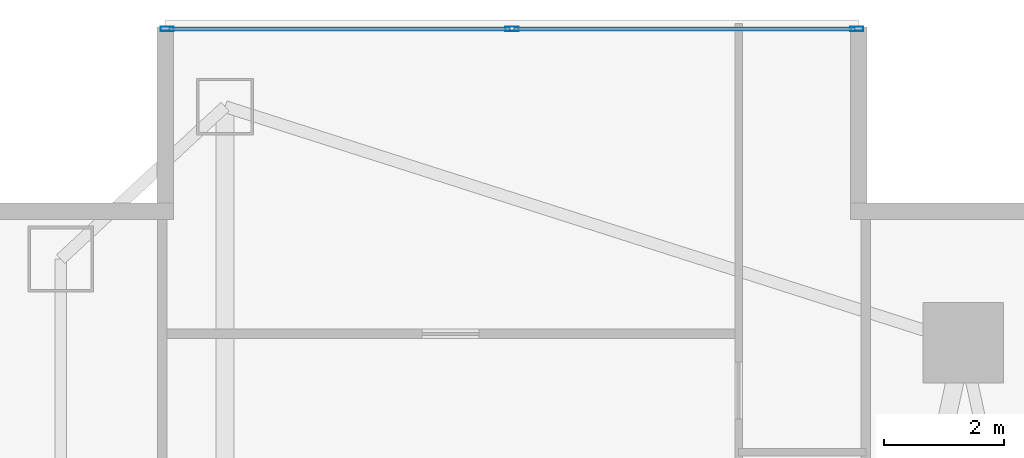
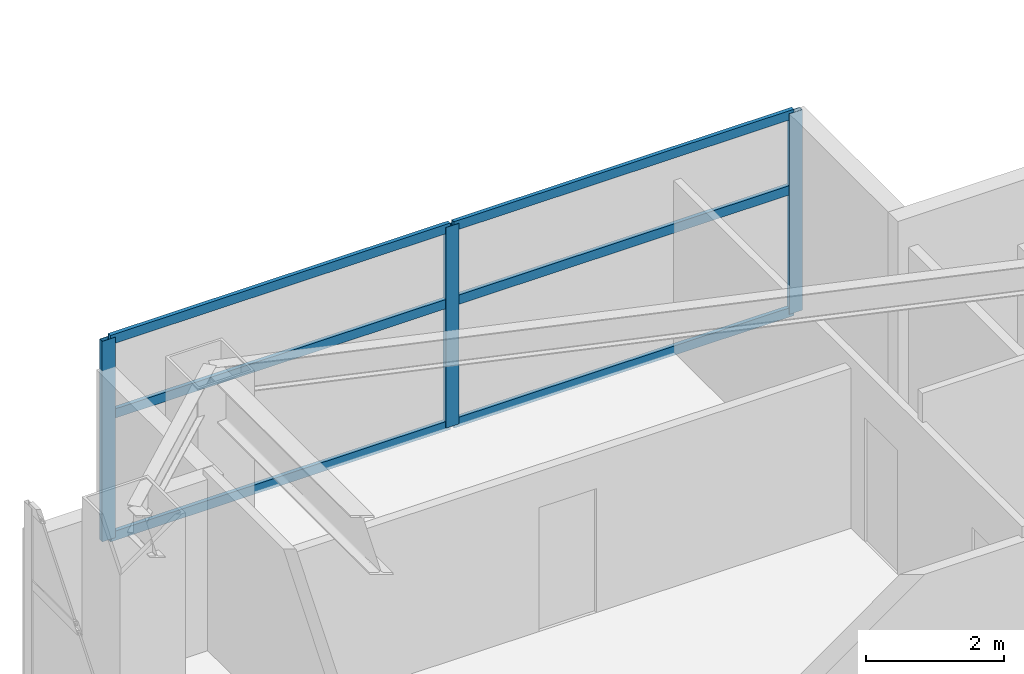
# One storey, part 19 of 30: 9 members, 1 element without a shape of its own.
"""IFC4 building model written with IfcOpenShell, lengths in metres."""

import ifcopenshell
import ifcopenshell.guid

model = None  # the IFC model being written
_history = None  # IfcOwnerHistory: only IFC2X3 demands one
_inside = {}  # id of a spatial element -> (the spatial element, [elements in it])
_under = {}  # id of a project, library or spatial element -> (it, [spatial elements below it])
_declared = {}  # id of a project -> (the project, [libraries it declares])
_typed = {}  # id of a type object -> (the type object, [elements of that type])
_made_of = {}  # id of a material, layer set ... -> (it, [elements and type objects made of it])


def new_model(schema):
    """Start an empty IFC model of exactly this schema.

    Asked for "IFC4X3", IfcOpenShell would pick the latest addendum, in which some entities
    have other attributes; the version numbers below select the first issue.
    IFC2X3 requires an IfcOwnerHistory on every rooted entity: one is made here for all.
    """
    global model, _history
    if schema == "IFC4X3":
        model = ifcopenshell.file(schema_version=(4, 3, 0, 0))
    else:
        model = ifcopenshell.file(schema=schema)
    _inside.clear()
    _under.clear()
    _declared.clear()
    _typed.clear()
    _made_of.clear()
    _history = None
    if model.schema == "IFC2X3":
        org = make("IfcOrganization", Name="unknown")
        user = make(
            "IfcPersonAndOrganization",
            ThePerson=make("IfcPerson", FamilyName="unknown"),
            TheOrganization=org,
        )
        app = make(
            "IfcApplication",
            ApplicationDeveloper=org,
            Version="unknown",
            ApplicationFullName="unknown",
            ApplicationIdentifier="unknown",
        )
        _history = make(
            "IfcOwnerHistory",
            OwningUser=user,
            OwningApplication=app,
            ChangeAction="ADDED",
            CreationDate=0,
        )
    return model


def make(cls, **values):
    """One entity of the class cls with the attributes given. An attribute that is None is left unset."""
    return model.create_entity(
        cls, **{name: value for name, value in values.items() if value is not None}
    )


def rooted(cls, **values):
    """An entity with a GlobalId (a new one), such as an element, a storey or a relation."""
    return make(cls, GlobalId=ifcopenshell.guid.new(), OwnerHistory=_history, **values)


def si_unit(unit_type, name, prefix=None):
    """IfcSIUnit, for example si_unit("LENGTHUNIT", "METRE", prefix="MILLI")."""
    return make("IfcSIUnit", UnitType=unit_type, Prefix=prefix, Name=name)


def assignment(units):
    """IfcUnitAssignment: the units of a project."""
    return None if units is None else make("IfcUnitAssignment", Units=units)


def point(xyz):
    """IfcCartesianPoint."""
    return None if xyz is None else make("IfcCartesianPoint", Coordinates=xyz)


def direction(xyz):
    """IfcDirection."""
    return None if xyz is None else make("IfcDirection", DirectionRatios=xyz)


def frame(location, z_axis=None, x_axis=None):
    """IfcAxis2Placement3D, a coordinate frame: its origin and axes. An axis left out is left unset."""
    return make(
        "IfcAxis2Placement3D",
        Location=point(location),
        Axis=direction(z_axis),
        RefDirection=direction(x_axis),
    )


def frame_2d(location, x_axis=None):
    """IfcAxis2Placement2D, a coordinate frame in the plane: its origin and x axis."""
    return make(
        "IfcAxis2Placement2D", Location=point(location), RefDirection=direction(x_axis)
    )


def origin():
    """The frame at (0, 0, 0) with its axes left unset."""
    return frame((0.0, 0.0, 0.0))


def origin_2d():
    """The frame at (0, 0) in the plane with its x axis left unset."""
    return frame_2d((0.0, 0.0))


def place(relative_to, where):
    """IfcLocalPlacement: puts the frame where relative to a parent placement (None: the world)."""
    return make(
        "IfcLocalPlacement", PlacementRelTo=relative_to, RelativePlacement=where
    )


def context(
    kind, dimensions, precision=None, world=None, true_north=None, identifier=None
):
    """IfcGeometricRepresentationContext, for example the 3D "Model" context."""
    return make(
        "IfcGeometricRepresentationContext",
        ContextIdentifier=identifier,
        ContextType=kind,
        CoordinateSpaceDimension=dimensions,
        Precision=precision,
        WorldCoordinateSystem=world,
        TrueNorth=true_north,
    )


def subcontext(parent, identifier, kind, view, scale=None):
    """IfcGeometricRepresentationSubContext, for example "Body" below "Model"."""
    return make(
        "IfcGeometricRepresentationSubContext",
        ContextIdentifier=identifier,
        ContextType=kind,
        ParentContext=parent,
        TargetScale=scale,
        TargetView=view,
    )


def project(units=None, contexts=None):
    """IfcProject with its units and contexts."""
    return rooted(
        "IfcProject",
        Name="project",
        RepresentationContexts=contexts,
        UnitsInContext=assignment(units),
    )


def spatial(cls, under=None, at=None, **own):
    """A site, building, storey or space (cls), placed at a placement, below another one or the project."""
    s = rooted(cls, ObjectPlacement=at, **own)
    if under is not None:
        _under.setdefault(under.id(), (under, []))[1].append(s)
    return s


def profile(cls, at=None, kind="AREA", **sizes):
    """A parametric profile (cls). Its sizes go by their IFC names, for example OverallWidth=200.0."""
    return make(cls, ProfileType=kind, Position=at, **sizes)


def hollow_rectangle(**sizes):
    """IfcRectangleHollowProfileDef."""
    return profile("IfcRectangleHollowProfileDef", **sizes)


def extrude(swept, where, along, depth):
    """IfcExtrudedAreaSolid: the profile swept, set in the frame where, extruded along a direction by depth."""
    return make(
        "IfcExtrudedAreaSolid",
        SweptArea=swept,
        Position=where,
        ExtrudedDirection=direction(along),
        Depth=depth,
    )


def shape(context_of_items, identifier, shape_type, items):
    """IfcShapeRepresentation: the items that make up one representation, for example the "Body"."""
    return make(
        "IfcShapeRepresentation",
        ContextOfItems=context_of_items,
        RepresentationIdentifier=identifier,
        RepresentationType=shape_type,
        Items=items,
    )


def material(Name=None, Category=None):
    """IfcMaterial."""
    return make("IfcMaterial", Name=Name, Category=Category)


def layer(
    of_material, thickness, ventilated=None, Name=None, Category=None, Priority=None
):
    """IfcMaterialLayer: one layer of a wall or slab, of a material (None: an air gap)."""
    return make(
        "IfcMaterialLayer",
        Material=of_material,
        LayerThickness=thickness,
        IsVentilated=ventilated,
        Name=Name,
        Category=Category,
        Priority=Priority,
    )


def layer_set(layers, Name=None):
    """IfcMaterialLayerSet."""
    return make("IfcMaterialLayerSet", MaterialLayers=layers, LayerSetName=Name)


def material_profile(
    of_material, cross_section, Name=None, Category=None, Priority=None
):
    """IfcMaterialProfile: a cross section and its material."""
    return make(
        "IfcMaterialProfile",
        Name=Name,
        Material=of_material,
        Profile=cross_section,
        Priority=Priority,
        Category=Category,
    )


def profile_set(profiles, Name=None, composite=None):
    """IfcMaterialProfileSet."""
    return make(
        "IfcMaterialProfileSet",
        Name=Name,
        MaterialProfiles=profiles,
        CompositeProfile=composite,
    )


def made_of(thing, what):
    """Note that an element or type object is made of a material, layer set ...; save() writes the relation."""
    if what is not None:
        _made_of.setdefault(what.id(), (what, []))[1].append(thing)
    return thing


def type_object(cls, material=None, **own):
    """A type object (cls), such as IfcWallType, which elements share."""
    return made_of(rooted(cls, **own), material)


def element(
    cls,
    number,
    at=None,
    inside=None,
    cuts=None,
    type_object=None,
    material=None,
    context=None,
    identifier="Body",
    shape_type=None,
    held_by="IfcProductDefinitionShape",
    body=None,
    shapes=None,
    **own,
):
    """One element of the class cls, such as IfcWall. Its Tag is "e" and its number.

    at: its placement. inside: the storey or other place that contains it. cuts: it is an
    opening in that element (IfcRelVoidsElement). A single representation is given by context,
    identifier, shape_type and body (its items); several are given by shapes. held_by: the class
    of the entity that holds the representations. save() writes the other relations.
    """
    e = rooted(cls, Tag="e%d" % number, ObjectPlacement=at, **own)
    if body is not None:
        shapes = [shape(context, identifier, shape_type, body)]
    if shapes is not None:
        e.Representation = make(held_by, Representations=shapes)
    if inside is not None:
        _inside.setdefault(inside.id(), (inside, []))[1].append(e)
    if cuts is not None:
        rooted(
            "IfcRelVoidsElement", RelatingBuildingElement=cuts, RelatedOpeningElement=e
        )
    if type_object is not None:
        _typed.setdefault(type_object.id(), (type_object, []))[1].append(e)
    return made_of(e, material)


def aggregate(whole, parts):
    """IfcRelAggregates: a whole, such as a stair, and the parts it consists of."""
    return rooted("IfcRelAggregates", RelatingObject=whole, RelatedObjects=parts)


def save(model, path):
    """Write the relations noted so far, then the file.

    IfcRelAggregates (storeys below a building ...), IfcRelContainedInSpatialStructure (elements
    in a storey), IfcRelDefinesByType, IfcRelAssociatesMaterial and IfcRelDeclares: one each for
    every whole, place, type object, material and project.
    """
    for whole, parts in _under.values():
        aggregate(whole, parts)
    for where, things in _inside.values():
        rooted(
            "IfcRelContainedInSpatialStructure",
            RelatedElements=things,
            RelatingStructure=where,
        )
    for kind, things in _typed.values():
        rooted("IfcRelDefinesByType", RelatedObjects=things, RelatingType=kind)
    for what, things in _made_of.values():
        rooted("IfcRelAssociatesMaterial", RelatedObjects=things, RelatingMaterial=what)
    for by, libraries in _declared.values():
        rooted("IfcRelDeclares", RelatingContext=by, RelatedDefinitions=libraries)
    model.write(path)


model = new_model("IFC4")

# Units and contexts
model_context = context("Model", 3, precision=1e-05, world=origin(), true_north=direction((0.0, 1.0)))
body_context = subcontext(model_context, "Body", "Model", "MODEL_VIEW")
ifc_project = project(units=[si_unit("LENGTHUNIT", "METRE"), si_unit("AREAUNIT", "SQUARE_METRE"), si_unit("VOLUMEUNIT", "CUBIC_METRE"), si_unit("PLANEANGLEUNIT", "RADIAN"), si_unit("MASSUNIT", "GRAM", prefix="KILO")], contexts=[model_context])

# Site, building, storey
site_placement = place(None, origin())
site = spatial("IfcSite", under=ifc_project, at=site_placement, CompositionType="ELEMENT")
building_placement = place(site_placement, origin())
building = spatial("IfcBuilding", under=site, at=building_placement, Name="Calvorn Quay Hotel", CompositionType="ELEMENT")
storey_placement = place(building_placement, frame((0.0, 0.0, 30.800048828125)))
storey = spatial("IfcBuildingStorey", under=building, at=storey_placement, Name="L06", CompositionType="ELEMENT", Elevation=30.800048828125)

# Curtain wall, members
ifc_material_1 = material(Name="Pale Anodised Aluminium and Low-E Glass", Category="aluminium")
ifc_layer = layer(ifc_material_1, 0.219970703125)
ifc_layer_set = layer_set([ifc_layer], Name="CW-SYS-Z1")
curtain_wall_type = type_object("IfcCurtainWallType", Name="CW-SYS-Z1", PredefinedType="NOTDEFINED", material=ifc_layer_set)
curtain_wall_placement = place(storey_placement, origin())
curtain_wall = element("IfcCurtainWall", 1, at=curtain_wall_placement, inside=storey, type_object=curtain_wall_type, Name="Inner Court Curtain Wall L06-N1", PredefinedType="NOTDEFINED")
ifc_material_2 = material(Name="Pale Anodised Aluminium 6063-T6", Category="aluminium")
ifc_material_profile_1 = material_profile(ifc_material_2, hollow_rectangle(XDim=0.074951171875, YDim=0.219970703125, WallThickness=0.00439453125, at=origin_2d()), Name="ALU-M220x75x4.5")
ifc_profile_set_1 = profile_set([ifc_material_profile_1], Name="Pale Anodised Aluminium 6063-T6")
member_type_1 = type_object("IfcMemberType", Name="CW-SYS-Z1-MUL", PredefinedType="MULLION", material=ifc_profile_set_1)
member_1_placement = place(storey_placement, frame((14.77001953125, 50.85009765625, 0.0), z_axis=(0.0, 0.0, 1.0), x_axis=(0.0, -1.0, 0.0)))
member_1 = element("IfcMember", 2, at=member_1_placement, type_object=member_type_1, Name="CW-L06-N1 mullion 1", PredefinedType="MULLION", context=body_context, shape_type="SweptSolid", body=[
    extrude(hollow_rectangle(XDim=0.074951171875, YDim=0.219970703125, WallThickness=0.00439453125, at=origin_2d()), origin(), (0.0, 0.0, 1.0), 3.56005859375),
])
member_2_placement = place(storey_placement, frame((9.0, 50.85009765625, 0.0), z_axis=(0.0, 0.0, 1.0), x_axis=(0.0, -1.0, 0.0)))
member_2 = element("IfcMember", 3, at=member_2_placement, type_object=member_type_1, Name="CW-L06-N1 mullion 2", PredefinedType="MULLION", context=body_context, shape_type="SweptSolid", body=[
    extrude(hollow_rectangle(XDim=0.074951171875, YDim=0.219970703125, WallThickness=0.00439453125, at=origin_2d()), origin(), (0.0, 0.0, 1.0), 3.56005859375),
])
member_3_placement = place(storey_placement, frame((3.22998046875, 50.85009765625, 0.0), z_axis=(0.0, 0.0, 1.0), x_axis=(0.0, -1.0, 0.0)))
member_3 = element("IfcMember", 4, at=member_3_placement, type_object=member_type_1, Name="CW-L06-N1 mullion 3", PredefinedType="MULLION", context=body_context, shape_type="SweptSolid", body=[
    extrude(hollow_rectangle(XDim=0.074951171875, YDim=0.219970703125, WallThickness=0.00439453125, at=origin_2d()), origin(), (0.0, 0.0, 1.0), 3.56005859375),
])
ifc_material_3 = material(Name="Pale Anodised Aluminium 6063-T6", Category="aluminium")
ifc_material_profile_2 = material_profile(ifc_material_3, hollow_rectangle(XDim=0.06494140625, YDim=0.1650390625, WallThickness=0.00341796875, at=origin_2d()), Name="ALU-T165x65x3.5")
ifc_profile_set_2 = profile_set([ifc_material_profile_2], Name="Pale Anodised Aluminium 6063-T6")
member_type_2 = type_object("IfcMemberType", Name="CW-SYS-Z1-TRN", PredefinedType="USERDEFINED", material=ifc_profile_set_2)
member_4_placement = place(storey_placement, frame((14.739990234375, 50.85009765625, 0.030029296875), z_axis=(-1.0, 0.0, 0.0), x_axis=(0.0, -1.0, 0.0)))
member_4 = element("IfcMember", 5, at=member_4_placement, type_object=member_type_2, Name="CW-L06-N1 transom 1.1", ObjectType="TRANSOM", PredefinedType="USERDEFINED", context=body_context, shape_type="SweptSolid", body=[
    extrude(hollow_rectangle(XDim=0.06494140625, YDim=0.1650390625, WallThickness=0.00341796875, at=origin_2d()), origin(), (0.0, 0.0, 1.0), 5.7099609375),
])
member_5_placement = place(storey_placement, frame((14.739990234375, 50.85009765625, 2.199951171875), z_axis=(-1.0, 0.0, 0.0), x_axis=(0.0, -1.0, 0.0)))
member_5 = element("IfcMember", 6, at=member_5_placement, type_object=member_type_2, Name="CW-L06-N1 transom 1.2", ObjectType="TRANSOM", PredefinedType="USERDEFINED", context=body_context, shape_type="SweptSolid", body=[
    extrude(hollow_rectangle(XDim=0.06494140625, YDim=0.1650390625, WallThickness=0.00341796875, at=origin_2d()), origin(), (0.0, 0.0, 1.0), 5.7099609375),
])
member_6_placement = place(storey_placement, frame((14.739990234375, 50.85009765625, 3.530029296875), z_axis=(-1.0, 0.0, 0.0), x_axis=(0.0, -1.0, 0.0)))
member_6 = element("IfcMember", 7, at=member_6_placement, type_object=member_type_2, Name="CW-L06-N1 transom 1.3", ObjectType="TRANSOM", PredefinedType="USERDEFINED", context=body_context, shape_type="SweptSolid", body=[
    extrude(hollow_rectangle(XDim=0.06494140625, YDim=0.1650390625, WallThickness=0.00341796875, at=origin_2d()), origin(), (0.0, 0.0, 1.0), 5.7099609375),
])
member_7_placement = place(storey_placement, frame((8.969970703125, 50.85009765625, 0.030029296875), z_axis=(-1.0, 0.0, 0.0), x_axis=(0.0, -1.0, 0.0)))
member_7 = element("IfcMember", 8, at=member_7_placement, type_object=member_type_2, Name="CW-L06-N1 transom 2.1", ObjectType="TRANSOM", PredefinedType="USERDEFINED", context=body_context, shape_type="SweptSolid", body=[
    extrude(hollow_rectangle(XDim=0.06494140625, YDim=0.1650390625, WallThickness=0.00341796875, at=origin_2d()), origin(), (0.0, 0.0, 1.0), 5.7099609375),
])
member_8_placement = place(storey_placement, frame((8.969970703125, 50.85009765625, 2.199951171875), z_axis=(-1.0, 0.0, 0.0), x_axis=(0.0, -1.0, 0.0)))
member_8 = element("IfcMember", 9, at=member_8_placement, type_object=member_type_2, Name="CW-L06-N1 transom 2.2", ObjectType="TRANSOM", PredefinedType="USERDEFINED", context=body_context, shape_type="SweptSolid", body=[
    extrude(hollow_rectangle(XDim=0.06494140625, YDim=0.1650390625, WallThickness=0.00341796875, at=origin_2d()), origin(), (0.0, 0.0, 1.0), 5.7099609375),
])
member_9_placement = place(storey_placement, frame((8.969970703125, 50.85009765625, 3.530029296875), z_axis=(-1.0, 0.0, 0.0), x_axis=(0.0, -1.0, 0.0)))
member_9 = element("IfcMember", 10, at=member_9_placement, type_object=member_type_2, Name="CW-L06-N1 transom 2.3", ObjectType="TRANSOM", PredefinedType="USERDEFINED", context=body_context, shape_type="SweptSolid", body=[
    extrude(hollow_rectangle(XDim=0.06494140625, YDim=0.1650390625, WallThickness=0.00341796875, at=origin_2d()), origin(), (0.0, 0.0, 1.0), 5.7099609375),
])
aggregate(curtain_wall, [member_1, member_2, member_3, member_4, member_5, member_6, member_7, member_8, member_9])

save(model, "model.ifc")
